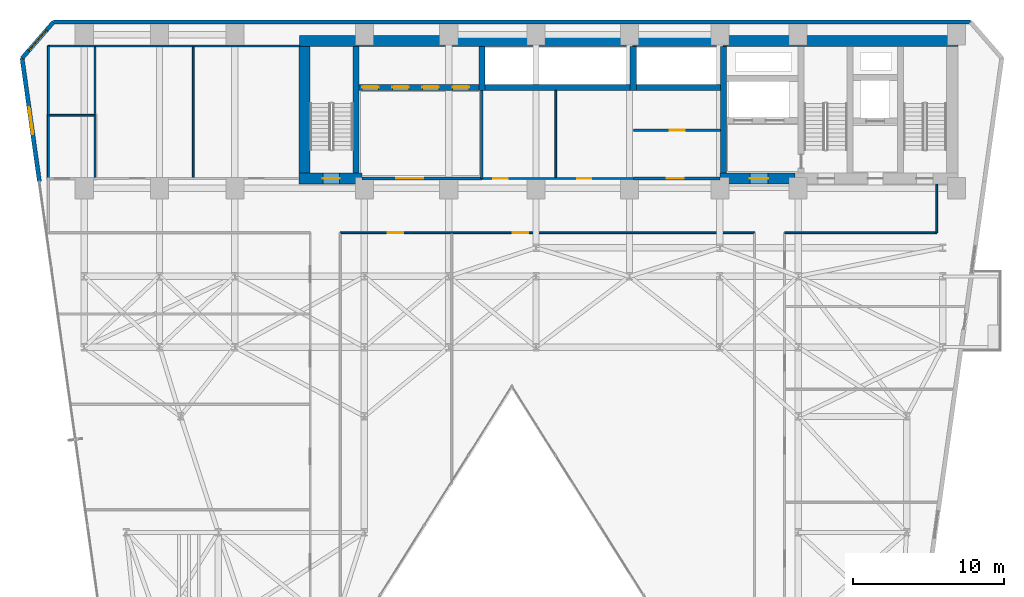
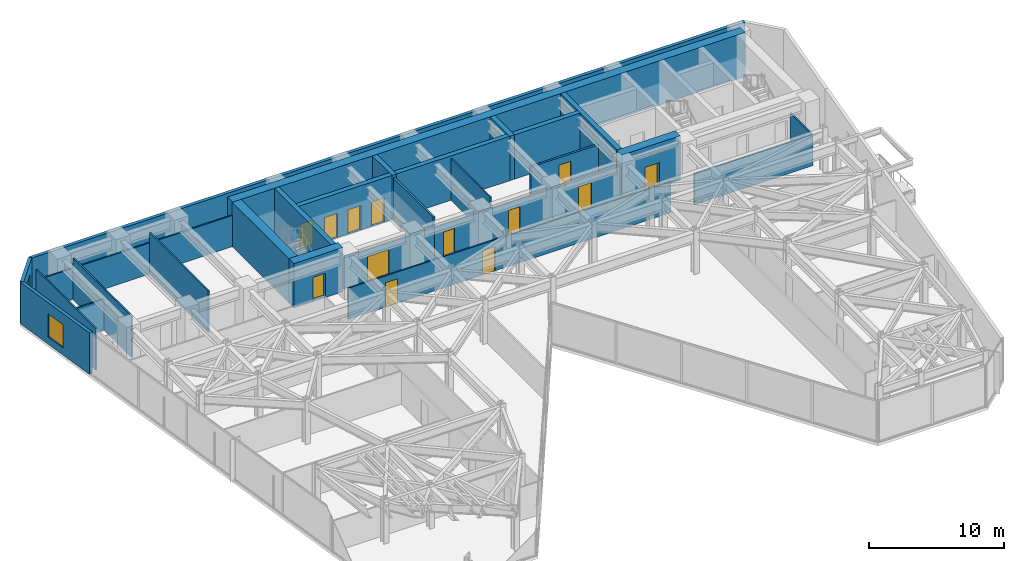
# One storey, part 20 of 25: 28 walls, 13 doors, 2 windows, 15 openings.
"""IFC4 building model written with IfcOpenShell, lengths in metres."""

from ifc_helpers import new_model, si_unit, direction, frame, frame_2d, origin, place, context, subcontext, project, spatial, rectangle, extrude, material, layer, layer_set, type_object, element, fill, save


model = new_model("IFC4")

# Units and contexts
model_context = context("Model", 3, precision=1e-05, world=origin(), true_north=direction((0.0, 1.0)))
body_context = subcontext(model_context, "Body", "Model", "MODEL_VIEW")
ifc_project = project(units=[si_unit("LENGTHUNIT", "METRE"), si_unit("AREAUNIT", "SQUARE_METRE"), si_unit("VOLUMEUNIT", "CUBIC_METRE"), si_unit("PLANEANGLEUNIT", "RADIAN"), si_unit("MASSUNIT", "GRAM", prefix="KILO")], contexts=[model_context])

# Site, building, storey
site_placement = place(None, origin())
site = spatial("IfcSite", under=ifc_project, at=site_placement, CompositionType="ELEMENT")
building_placement = place(site_placement, origin())
building = spatial("IfcBuilding", under=site, at=building_placement, Name="Kravanh Interchange Tower", CompositionType="ELEMENT")
storey_placement = place(building_placement, frame((0.0, 0.0, 65.5)))
storey = spatial("IfcBuildingStorey", under=building, at=storey_placement, Name="L15", CompositionType="ELEMENT", Elevation=65.5)

# Walls
ifc_material_1 = material(Name="Double Acoustic Gypsum Board and Mineral Wool")
ifc_layer_1 = layer(ifc_material_1, 0.1201171875)
ifc_layer_set_1 = layer_set([ifc_layer_1], Name="Acoustic Office Drywall Partition 120mm")
wall_type_1 = type_object("IfcWallType", Name="Acoustic Office Drywall Partition 120mm", PredefinedType="PARTITIONING", material=ifc_layer_set_1)
wall_1_placement = place(storey_placement, frame((39.89990234375, 38.068115234375, 0.0), z_axis=(0.0, 0.0, 1.0), x_axis=(0.0, 1.0, 0.0)))
element("IfcWall", 1, at=wall_1_placement, inside=storey, type_object=wall_type_1, Name="L15 Interior Partition 6", PredefinedType="PARTITIONING", context=body_context, shape_type="SweptSolid", body=[
    extrude(rectangle(XDim=5.77392578125, YDim=0.1201171875, at=frame_2d((2.886962890625, 0.0))), origin(), (0.0, 0.0, 1.0), 3.739990234375),
])
wall_2_placement = place(storey_placement, frame((6.219970703125, 38.0, 0.0), z_axis=(0.0, 0.0, 1.0), x_axis=(0.0, 1.0, 0.0)))
element("IfcWall", 2, at=wall_2_placement, inside=storey, type_object=wall_type_1, Name="L15 Restroom West Enclosure 8", PredefinedType="PARTITIONING", context=body_context, shape_type="SweptSolid", body=[
    extrude(rectangle(XDim=8.800048828125, YDim=0.1201171875, at=frame_2d((4.39990234375, 0.0))), origin(), (0.0, 0.0, 1.0), 3.739990234375),
])
wall_3_placement = place(storey_placement, frame((6.219970703125, 46.800048828125, 0.0), z_axis=(0.0, 0.0, 1.0), x_axis=(1.0, 0.0, 0.0)))
element("IfcWall", 3, at=wall_3_placement, inside=storey, type_object=wall_type_1, Name="L15 Restroom North Enclosure 9", PredefinedType="PARTITIONING", context=body_context, shape_type="SweptSolid", body=[
    extrude(rectangle(XDim=16.679931640625, YDim=0.1201171875, at=frame_2d((8.33984375, 0.0))), origin(), (0.0, 0.0, 1.0), 2.81298828125),
])
for number, where, z_axis, x_axis, name in (
    (4, (9.320068359375, 38.068115234375, 0.0), (0.0, 0.0, 1.0), (0.0, 1.0, 0.0), "L15 Interior Partition 10"),
    (5, (15.840087890625, 38.068115234375, 0.0), (0.0, 0.0, 1.0), (0.0, 1.0, 0.0), "L15 Interior Partition 11"),
):
    element("IfcWall", number, at=place(storey_placement, frame(where, z_axis=z_axis, x_axis=x_axis)), inside=storey, type_object=wall_type_1, Name=name, PredefinedType="PARTITIONING", context=body_context, shape_type="SweptSolid", body=[
        extrude(rectangle(XDim=8.663818359375, YDim=0.1201171875, at=frame_2d((4.33203125, 0.0))), origin(), (0.0, 0.0, 1.0), 3.739990234375),
    ])
wall_4_placement = place(storey_placement, frame((6.2880859375, 42.199951171875, 0.0), z_axis=(0.0, 0.0, 1.0), x_axis=(1.0, 0.0, 0.0)))
element("IfcWall", 6, at=wall_4_placement, inside=storey, type_object=wall_type_1, Name="L15 Interior Partition 12", PredefinedType="PARTITIONING", context=body_context, shape_type="SweptSolid", body=[
    extrude(rectangle(XDim=2.9638671875, YDim=0.1201171875, at=frame_2d((1.48193359375, 0.0))), origin(), (0.0, 0.0, 1.0), 2.81298828125),
])

# Wall, openings, doors
wall_5_placement = place(storey_placement, frame((25.60009765625, 34.39990234375, 0.0), z_axis=(0.0, 0.0, 1.0), x_axis=(1.0, 0.0, 0.0)))
wall_5 = element("IfcWall", 7, at=wall_5_placement, inside=storey, type_object=wall_type_1, Name="L15 Interior Partition 14", PredefinedType="PARTITIONING", context=body_context, shape_type="SweptSolid", body=[
    extrude(rectangle(XDim=27.5, YDim=0.1201171875, at=frame_2d((13.75, 0.0))), origin(), (0.0, 0.0, 1.0), 2.81298828125),
])
opening_1_placement = place(wall_5_placement, frame((3.135009765625, 0.0, 0.0)))
opening_1 = element("IfcOpeningElement", 8, at=opening_1_placement, cuts=wall_5, Name="Opening D-105", PredefinedType="OPENING", context=body_context, shape_type="SweptSolid", body=[
    extrude(rectangle(XDim=1.050048828125, YDim=2.199951171875, at=frame_2d((0.52490234375, 1.10009765625))), frame((0.0, 0.070068359375, 0.0), z_axis=(0.0, -1.0, 0.0), x_axis=(1.0, 0.0, 0.0)), (0.0, 0.0, 1.0), 0.14013671875),
])
opening_2_placement = place(wall_5_placement, frame((11.439697265625, 0.0, 0.0)))
opening_2 = element("IfcOpeningElement", 9, at=opening_2_placement, cuts=wall_5, Name="Opening D-105", PredefinedType="OPENING", context=body_context, shape_type="SweptSolid", body=[
    extrude(rectangle(XDim=1.050048828125, YDim=2.199951171875, at=frame_2d((0.52490234375, 1.10009765625))), frame((0.0, 0.070068359375, 0.0), z_axis=(0.0, -1.0, 0.0), x_axis=(1.0, 0.0, 0.0)), (0.0, 0.0, 1.0), 0.14013671875),
])
ifc_material_2 = material(Name="Acoustic Glazed Oak and Aluminium", Category="aluminium")
door_type_1 = type_object("IfcDoorType", Name="Office Workplace Door 1050x2200", OperationType="NOTDEFINED", PredefinedType="DOOR", material=ifc_material_2)
door_1_placement = place(opening_1_placement, origin())
door_1 = element("IfcDoor", 10, at=door_1_placement, inside=storey, type_object=door_type_1, Name="L15 Central Conference Meeting Door", OperationType="SINGLE_SWING_RIGHT", OverallHeight=2.199951171875, OverallWidth=1.050048828125, PredefinedType="DOOR", context=body_context, shape_type="SweptSolid", body=[
    extrude(rectangle(XDim=1.050048828125, YDim=2.199951171875, at=frame_2d((0.52490234375, 1.10009765625))), frame((0.0, 0.02490234375, 0.0), z_axis=(0.0, -1.0, 0.0), x_axis=(1.0, 0.0, 0.0)), (0.0, 0.0, 1.0), 0.050048828125),
])
fill(opening_1, door_1)
door_2_placement = place(opening_2_placement, origin())
door_2 = element("IfcDoor", 11, at=door_2_placement, inside=storey, type_object=door_type_1, Name="L15 Floor Pantry Kitchenette Door", OperationType="SINGLE_SWING_LEFT", OverallHeight=2.199951171875, OverallWidth=1.050048828125, PredefinedType="DOOR", context=body_context, shape_type="SweptSolid", body=[
    extrude(rectangle(XDim=1.050048828125, YDim=2.199951171875, at=frame_2d((0.52490234375, 1.10009765625))), frame((0.0, 0.02490234375, 0.0), z_axis=(0.0, -1.0, 0.0), x_axis=(1.0, 0.0, 0.0)), (0.0, 0.0, 1.0), 0.050048828125),
])
fill(opening_2, door_2)

# Walls
wall_6_placement = place(storey_placement, frame((55.10009765625, 34.39990234375, 0.0), z_axis=(0.0, 0.0, 1.0), x_axis=(1.0, 0.0, 0.0)))
element("IfcWall", 12, at=wall_6_placement, inside=storey, type_object=wall_type_1, Name="L15 Interior Partition 15", PredefinedType="PARTITIONING", context=body_context, shape_type="SweptSolid", body=[
    extrude(rectangle(XDim=10.099853515625, YDim=0.1201171875, at=frame_2d((5.0498046875, 0.0))), origin(), (0.0, 0.0, 1.0), 2.81298828125),
])
wall_7_placement = place(storey_placement, frame((65.199951171875, 34.39990234375, 0.0), z_axis=(0.0, 0.0, 1.0), x_axis=(0.0, 1.0, 0.0)))
element("IfcWall", 13, at=wall_7_placement, inside=storey, type_object=wall_type_1, Name="L15 Interior Partition 17", PredefinedType="PARTITIONING", context=body_context, shape_type="SweptSolid", body=[
    extrude(rectangle(XDim=3.217041015625, YDim=0.1201171875, at=frame_2d((1.6083984375, 0.0))), origin(), (0.0, 0.0, 1.0), 2.81298828125),
])
ifc_material_3 = material(Name="Concrete C80/95", Category="concrete")
ifc_layer_2 = layer(ifc_material_3, 0.39990234375)
ifc_layer_set_2 = layer_set([ifc_layer_2], Name="Core Shear Wall Concrete C80/95 400mm")
wall_type_2 = type_object("IfcWallType", Name="Core Shear Wall Concrete C80/95 400mm", PredefinedType="SHEAR", material=ifc_layer_set_2)
wall_8_placement = place(storey_placement, frame((51.050048828125, 38.375, 0.0), z_axis=(0.0, 0.0, 1.0), x_axis=(0.0, 1.0, 0.0)))
element("IfcWall", 14, at=wall_8_placement, inside=storey, type_object=wall_type_2, Name="L15 Firefighting Lobby West Wall", PredefinedType="SHEAR", context=body_context, shape_type="SweptSolid", body=[
    extrude(rectangle(XDim=8.375, YDim=0.39990234375, at=frame_2d((4.1875, 0.0))), origin(), (0.0, 0.0, 1.0), 4.0),
])
wall_9_placement = place(storey_placement, frame((45.25, 44.050048828125, 0.0), z_axis=(0.0, 0.0, 1.0), x_axis=(1.0, 0.0, 0.0)))
element("IfcWall", 15, at=wall_9_placement, inside=storey, type_object=wall_type_2, Name="L15 High-Rise Lift Shaft South Wall", PredefinedType="SHEAR", context=body_context, shape_type="SweptSolid", body=[
    extrude(rectangle(XDim=5.60009765625, YDim=0.39990234375, at=frame_2d((2.800048828125, 0.0))), origin(), (0.0, 0.0, 1.0), 4.0),
])
wall_10_placement = place(storey_placement, frame((45.050048828125, 43.85009765625, 0.0), z_axis=(0.0, 0.0, 1.0), x_axis=(0.0, 1.0, 0.0)))
element("IfcWall", 16, at=wall_10_placement, inside=storey, type_object=wall_type_2, Name="L15 High-Rise Lift Shaft West Wall", PredefinedType="SHEAR", context=body_context, shape_type="SweptSolid", body=[
    extrude(rectangle(XDim=2.89990234375, YDim=0.39990234375, at=frame_2d((1.449951171875, 0.0))), origin(), (0.0, 0.0, 1.0), 4.0),
])
wall_11_placement = place(storey_placement, frame((35.199951171875, 44.050048828125, 0.0), z_axis=(0.0, 0.0, 1.0), x_axis=(1.0, 0.0, 0.0)))
element("IfcWall", 17, at=wall_11_placement, inside=storey, type_object=wall_type_2, Name="L15 Mid-Rise Lift Shaft South Wall", PredefinedType="SHEAR", context=body_context, shape_type="SweptSolid", body=[
    extrude(rectangle(XDim=9.650146484375, YDim=0.39990234375, at=frame_2d((4.8251953125, 0.0))), origin(), (0.0, 0.0, 1.0), 4.0),
])
wall_12_placement = place(storey_placement, frame((35.0, 43.85009765625, 0.0), z_axis=(0.0, 0.0, 1.0), x_axis=(0.0, 1.0, 0.0)))
element("IfcWall", 18, at=wall_12_placement, inside=storey, type_object=wall_type_2, Name="L15 Mid-Rise Lift Shaft West Wall", PredefinedType="SHEAR", context=body_context, shape_type="SweptSolid", body=[
    extrude(rectangle(XDim=2.89990234375, YDim=0.39990234375, at=frame_2d((1.449951171875, 0.0))), origin(), (0.0, 0.0, 1.0), 4.0),
])

# Wall, openings, doors
wall_13_placement = place(storey_placement, frame((26.85009765625, 44.050048828125, 0.0), z_axis=(0.0, 0.0, 1.0), x_axis=(1.0, 0.0, 0.0)))
wall_13 = element("IfcWall", 19, at=wall_13_placement, inside=storey, type_object=wall_type_2, Name="L15 Low-Rise Lift Shaft South Wall", PredefinedType="SHEAR", context=body_context, shape_type="SweptSolid", body=[
    extrude(rectangle(XDim=7.949951171875, YDim=0.39990234375, at=frame_2d((3.97509765625, 0.0))), origin(), (0.0, 0.0, 1.0), 4.0),
])
opening_3_placement = place(wall_13_placement, frame((0.199951171875, 0.0, 0.0)))
opening_3 = element("IfcOpeningElement", 20, at=opening_3_placement, cuts=wall_13, Name="Opening LD01", PredefinedType="OPENING", context=body_context, shape_type="SweptSolid", body=[
    extrude(rectangle(XDim=1.10009765625, YDim=2.199951171875, at=frame_2d((0.550048828125, 1.10009765625))), frame((0.0, 0.2099609375, 0.0), z_axis=(0.0, -1.0, 0.0), x_axis=(1.0, 0.0, 0.0)), (0.0, 0.0, 1.0), 0.419921875),
])
opening_4_placement = place(wall_13_placement, frame((2.199951171875, 0.0, 0.0)))
opening_4 = element("IfcOpeningElement", 21, at=opening_4_placement, cuts=wall_13, Name="Opening LD01", PredefinedType="OPENING", context=body_context, shape_type="SweptSolid", body=[
    extrude(rectangle(XDim=1.10009765625, YDim=2.199951171875, at=frame_2d((0.550048828125, 1.10009765625))), frame((0.0, 0.2099609375, 0.0), z_axis=(0.0, -1.0, 0.0), x_axis=(1.0, 0.0, 0.0)), (0.0, 0.0, 1.0), 0.419921875),
])
opening_5_placement = place(wall_13_placement, frame((4.199951171875, 0.0, 0.0)))
opening_5 = element("IfcOpeningElement", 22, at=opening_5_placement, cuts=wall_13, Name="Opening LD01", PredefinedType="OPENING", context=body_context, shape_type="SweptSolid", body=[
    extrude(rectangle(XDim=1.10009765625, YDim=2.199951171875, at=frame_2d((0.550048828125, 1.10009765625))), frame((0.0, 0.2099609375, 0.0), z_axis=(0.0, -1.0, 0.0), x_axis=(1.0, 0.0, 0.0)), (0.0, 0.0, 1.0), 0.419921875),
])
opening_6_placement = place(wall_13_placement, frame((6.199951171875, 0.0, 0.0)))
opening_6 = element("IfcOpeningElement", 23, at=opening_6_placement, cuts=wall_13, Name="Opening LD01", PredefinedType="OPENING", context=body_context, shape_type="SweptSolid", body=[
    extrude(rectangle(XDim=1.10009765625, YDim=2.199951171875, at=frame_2d((0.550048828125, 1.10009765625))), frame((0.0, 0.2099609375, 0.0), z_axis=(0.0, -1.0, 0.0), x_axis=(1.0, 0.0, 0.0)), (0.0, 0.0, 1.0), 0.419921875),
])
ifc_material_4 = material(Name="Stainless Steel 304", Category="steel")
door_type_2 = type_object("IfcDoorType", Name="Passenger Lift Sliding Landing Door 1100x2200", OperationType="DOUBLE_DOOR_SLIDING", PredefinedType="DOOR", material=ifc_material_4)
door_3_placement = place(opening_3_placement, origin())
door_3 = element("IfcDoor", 24, at=door_3_placement, inside=storey, type_object=door_type_2, Name="L15 Lift LP-L1 Landing Door", OperationType="DOUBLE_DOOR_SLIDING", OverallHeight=2.199951171875, OverallWidth=1.10009765625, PredefinedType="DOOR", context=body_context, shape_type="SweptSolid", body=[
    extrude(rectangle(XDim=1.10009765625, YDim=2.199951171875, at=frame_2d((0.550048828125, 1.10009765625))), frame((0.0, 0.02490234375, 0.0), z_axis=(0.0, -1.0, 0.0), x_axis=(1.0, 0.0, 0.0)), (0.0, 0.0, 1.0), 0.050048828125),
])
fill(opening_3, door_3)
door_4_placement = place(opening_4_placement, origin())
door_4 = element("IfcDoor", 25, at=door_4_placement, inside=storey, type_object=door_type_2, Name="L15 Lift LP-L2 Landing Door", OperationType="DOUBLE_DOOR_SLIDING", OverallHeight=2.199951171875, OverallWidth=1.10009765625, PredefinedType="DOOR", context=body_context, shape_type="SweptSolid", body=[
    extrude(rectangle(XDim=1.10009765625, YDim=2.199951171875, at=frame_2d((0.550048828125, 1.10009765625))), frame((0.0, 0.02490234375, 0.0), z_axis=(0.0, -1.0, 0.0), x_axis=(1.0, 0.0, 0.0)), (0.0, 0.0, 1.0), 0.050048828125),
])
fill(opening_4, door_4)
door_5_placement = place(opening_5_placement, origin())
door_5 = element("IfcDoor", 26, at=door_5_placement, inside=storey, type_object=door_type_2, Name="L15 Lift LP-L3 Landing Door", OperationType="DOUBLE_DOOR_SLIDING", OverallHeight=2.199951171875, OverallWidth=1.10009765625, PredefinedType="DOOR", context=body_context, shape_type="SweptSolid", body=[
    extrude(rectangle(XDim=1.10009765625, YDim=2.199951171875, at=frame_2d((0.550048828125, 1.10009765625))), frame((0.0, 0.02490234375, 0.0), z_axis=(0.0, -1.0, 0.0), x_axis=(1.0, 0.0, 0.0)), (0.0, 0.0, 1.0), 0.050048828125),
])
fill(opening_5, door_5)
door_6_placement = place(opening_6_placement, origin())
door_6 = element("IfcDoor", 27, at=door_6_placement, inside=storey, type_object=door_type_2, Name="L15 Lift LP-L4 Landing Door", OperationType="DOUBLE_DOOR_SLIDING", OverallHeight=2.199951171875, OverallWidth=1.10009765625, PredefinedType="DOOR", context=body_context, shape_type="SweptSolid", body=[
    extrude(rectangle(XDim=1.10009765625, YDim=2.199951171875, at=frame_2d((0.550048828125, 1.10009765625))), frame((0.0, 0.02490234375, 0.0), z_axis=(0.0, -1.0, 0.0), x_axis=(1.0, 0.0, 0.0)), (0.0, 0.0, 1.0), 0.050048828125),
])
fill(opening_6, door_6)

# Walls
wall_14_placement = place(storey_placement, frame((26.64990234375, 38.375, 0.0), z_axis=(0.0, 0.0, 1.0), x_axis=(0.0, 1.0, 0.0)))
element("IfcWall", 28, at=wall_14_placement, inside=storey, type_object=wall_type_2, Name="L15 Stair ST3 East Shear Wall", PredefinedType="SHEAR", context=body_context, shape_type="SweptSolid", body=[
    extrude(rectangle(XDim=8.375, YDim=0.39990234375, at=frame_2d((4.1875, 0.0))), origin(), (0.0, 0.0, 1.0), 4.0),
])
ifc_material_5 = material(Name="Concrete C80/95", Category="concrete")
ifc_layer_3 = layer(ifc_material_5, 0.75)
ifc_layer_set_3 = layer_set([ifc_layer_3], Name="Core Shear Wall Concrete C80/95 750mm")
wall_type_3 = type_object("IfcWallType", Name="Core Shear Wall Concrete C80/95 750mm", PredefinedType="SHEAR", material=ifc_layer_set_3)
wall_15_placement = place(storey_placement, frame((22.89990234375, 47.125, 0.0), z_axis=(0.0, 0.0, 1.0), x_axis=(1.0, 0.0, 0.0)))
element("IfcWall", 29, at=wall_15_placement, inside=storey, type_object=wall_type_3, Name="L15 North Core Shear Wall", PredefinedType="SHEAR", context=body_context, shape_type="SweptSolid", body=[
    extrude(rectangle(XDim=43.7001953125, YDim=0.75, at=frame_2d((21.85009765625, 0.0))), origin(), (0.0, 0.0, 1.0), 4.0),
])

# Wall, opening, door
wall_16_placement = place(storey_placement, frame((50.800048828125, 38.0, 0.0), z_axis=(0.0, 0.0, 1.0), x_axis=(1.0, 0.0, 0.0)))
wall_16 = element("IfcWall", 30, at=wall_16_placement, inside=storey, type_object=wall_type_3, Name="L15 Firefighting Lobby South Shear Wall", PredefinedType="SHEAR", context=body_context, shape_type="SweptSolid", body=[
    extrude(rectangle(XDim=5.0, YDim=0.75, at=frame_2d((2.5, 0.0))), origin(), (0.0, 0.0, 1.0), 4.0),
])
opening_7_placement = place(wall_16_placement, frame((2.0, 0.0, 0.0)))
opening_7 = element("IfcOpeningElement", 31, at=opening_7_placement, cuts=wall_16, Name="Opening D-FSAE-120", PredefinedType="OPENING", context=body_context, shape_type="SweptSolid", body=[
    extrude(rectangle(XDim=1.199951171875, YDim=2.199951171875, at=frame_2d((0.60009765625, 1.10009765625))), frame((0.0, 0.385009765625, 0.0), z_axis=(0.0, -1.0, 0.0), x_axis=(1.0, 0.0, 0.0)), (0.0, 0.0, 1.0), 0.77001953125),
])
ifc_material_6 = material(Name="Structural Steel S355", Category="steel")
door_type_3 = type_object("IfcDoorType", Name="Fire-Rated Refuge and FSAE Door 1200x2200", OperationType="NOTDEFINED", PredefinedType="DOOR", material=ifc_material_6)
door_7_placement = place(opening_7_placement, origin())
door_7 = element("IfcDoor", 32, at=door_7_placement, inside=storey, type_object=door_type_3, Name="L15 Firefighting Lobby Corridor Door", OperationType="SINGLE_SWING_RIGHT", OverallHeight=2.199951171875, OverallWidth=1.199951171875, PredefinedType="DOOR", context=body_context, shape_type="SweptSolid", body=[
    extrude(rectangle(XDim=1.199951171875, YDim=2.199951171875, at=frame_2d((0.60009765625, 1.10009765625))), frame((0.0, 0.02490234375, 0.0), z_axis=(0.0, -1.0, 0.0), x_axis=(1.0, 0.0, 0.0)), (0.0, 0.0, 1.0), 0.050048828125),
])
fill(opening_7, door_7)

wall_17_placement = place(storey_placement, frame((22.85009765625, 38.0, 0.0), z_axis=(0.0, 0.0, 1.0), x_axis=(1.0, 0.0, 0.0)))
wall_17 = element("IfcWall", 33, at=wall_17_placement, inside=storey, type_object=wall_type_3, Name="L15 Stair ST3 South Shear Wall", PredefinedType="SHEAR", context=body_context, shape_type="SweptSolid", body=[
    extrude(rectangle(XDim=4.199951171875, YDim=0.75, at=frame_2d((2.10009765625, 0.0))), origin(), (0.0, 0.0, 1.0), 4.0),
])
opening_8_placement = place(wall_17_placement, frame((1.60009765625, 0.0, 0.0)))
opening_8 = element("IfcOpeningElement", 34, at=opening_8_placement, cuts=wall_17, Name="Opening D-STAIR-110", PredefinedType="OPENING", context=body_context, shape_type="SweptSolid", body=[
    extrude(rectangle(XDim=1.10009765625, YDim=2.199951171875, at=frame_2d((0.550048828125, 1.10009765625))), frame((0.0, 0.385009765625, 0.0), z_axis=(0.0, -1.0, 0.0), x_axis=(1.0, 0.0, 0.0)), (0.0, 0.0, 1.0), 0.77001953125),
])
ifc_material_7 = material(Name="Structural Steel S355", Category="steel")
door_type_4 = type_object("IfcDoorType", Name="Fire-Rated Exit Stair Door 1100x2200", OperationType="NOTDEFINED", PredefinedType="DOOR", material=ifc_material_7)
door_8_placement = place(opening_8_placement, origin())
door_8 = element("IfcDoor", 35, at=door_8_placement, inside=storey, type_object=door_type_4, Name="L15 Exit Stair ST3 Door", OperationType="SINGLE_SWING_RIGHT", OverallHeight=2.199951171875, OverallWidth=1.10009765625, PredefinedType="DOOR", context=body_context, shape_type="SweptSolid", body=[
    extrude(rectangle(XDim=1.10009765625, YDim=2.199951171875, at=frame_2d((0.550048828125, 1.10009765625))), frame((0.0, 0.02490234375, 0.0), z_axis=(0.0, -1.0, 0.0), x_axis=(1.0, 0.0, 0.0)), (0.0, 0.0, 1.0), 0.050048828125),
])
fill(opening_8, door_8)

# Wall
wall_18_placement = place(storey_placement, frame((23.22509765625, 38.375, 0.0), z_axis=(0.0, 0.0, 1.0), x_axis=(0.0, 1.0, 0.0)))
element("IfcWall", 36, at=wall_18_placement, inside=storey, type_object=wall_type_3, Name="L15 Stair ST3 West Shear Wall", PredefinedType="SHEAR", context=body_context, shape_type="SweptSolid", body=[
    extrude(rectangle(XDim=8.375, YDim=0.75, at=frame_2d((4.1875, 0.0))), origin(), (0.0, 0.0, 1.0), 4.0),
])

# Wall, opening, window
ifc_material_8 = material(Name="Insulated Precast Concrete C40/50 with Bronze Cladding", Category="concrete")
ifc_layer_4 = layer(ifc_material_8, 0.280029296875)
ifc_layer_set_4 = layer_set([ifc_layer_4], Name="Exterior Insulated Concrete C40/50 Bronze Spandrel Wall 280mm")
wall_type_4 = type_object("IfcWallType", Name="Exterior Insulated Concrete C40/50 Bronze Spandrel Wall 280mm", PredefinedType="STANDARD", material=ifc_layer_set_4)
wall_19_placement = place(storey_placement, frame((5.625, 37.800048828125, 0.0), z_axis=(0.0, 0.0, 1.0), x_axis=(-0.139180172484, 0.990267074878, 0.0)))
wall_19 = element("IfcWall", 37, at=wall_19_placement, inside=storey, type_object=wall_type_4, Name="L15 Exterior Wall 1", PredefinedType="STANDARD", context=body_context, shape_type="SweptSolid", body=[
    extrude(rectangle(XDim=8.267333984375, YDim=0.280029296875, at=frame_2d((4.1337890625, 0.0))), origin(), (0.0, 0.0, 1.0), 3.739990234375),
])
opening_9_placement = place(wall_19_placement, frame((3.1728515625, 0.0, 0.64990234375)))
opening_9 = element("IfcOpeningElement", 38, at=opening_9_placement, cuts=wall_19, Name="Opening WN-180X210", PredefinedType="OPENING", context=body_context, shape_type="SweptSolid", body=[
    extrude(rectangle(XDim=1.800048828125, YDim=2.10009765625, at=frame_2d((0.89990234375, 1.050048828125))), frame((0.0, 0.14990234375, 0.0), z_axis=(0.0, -1.0, 0.0), x_axis=(1.0, 0.0, 0.0)), (0.0, 0.0, 1.0), 0.300048828125),
])
ifc_material_9 = material(Name="Thermally Broken Bronze Aluminium and Low-E Glass", Category="aluminium")
window_type = type_object("IfcWindowType", Name="Tower Pier Window 1800x2100", PartitioningType="SINGLE_PANEL", PredefinedType="WINDOW", material=ifc_material_9)
window_1_placement = place(opening_9_placement, origin())
window_1 = element("IfcWindow", 39, at=window_1_placement, inside=storey, type_object=window_type, Name="L15 Corner Window 1", OverallHeight=2.10009765625, OverallWidth=1.800048828125, PartitioningType="SINGLE_PANEL", PredefinedType="WINDOW", context=body_context, shape_type="SweptSolid", body=[
    extrude(rectangle(XDim=1.800048828125, YDim=2.10009765625, at=frame_2d((0.89990234375, 1.050048828125))), frame((0.0, 0.030029296875, 0.0), z_axis=(0.0, -1.0, 0.0), x_axis=(1.0, 0.0, 0.0)), (0.0, 0.0, 1.0), 0.06005859375),
])
fill(opening_9, window_1)

wall_20_placement = place(storey_placement, frame((4.474365234375, 45.98681640625, 0.0), z_axis=(0.0, 0.0, 1.0), x_axis=(0.656070053895, 0.754699996278, 0.0)))
wall_20 = element("IfcWall", 40, at=wall_20_placement, inside=storey, type_object=wall_type_4, Name="L15 Exterior Wall 2", PredefinedType="STANDARD", context=body_context, shape_type="SweptSolid", body=[
    extrude(rectangle(XDim=3.1708984375, YDim=0.280029296875, at=frame_2d((1.58544921875, 0.0))), origin(), (0.0, 0.0, 1.0), 3.739990234375),
])
opening_10_placement = place(wall_20_placement, frame((0.66650390625, 0.0, 0.64990234375)))
opening_10 = element("IfcOpeningElement", 41, at=opening_10_placement, cuts=wall_20, Name="Opening WN-180X210", PredefinedType="OPENING", context=body_context, shape_type="SweptSolid", body=[
    extrude(rectangle(XDim=1.800048828125, YDim=2.10009765625, at=frame_2d((0.89990234375, 1.050048828125))), frame((0.0, 0.14990234375, 0.0), z_axis=(0.0, -1.0, 0.0), x_axis=(1.0, 0.0, 0.0)), (0.0, 0.0, 1.0), 0.300048828125),
])
window_2_placement = place(opening_10_placement, origin())
window_2 = element("IfcWindow", 42, at=window_2_placement, inside=storey, type_object=window_type, Name="L15 Corner Window 2", OverallHeight=2.10009765625, OverallWidth=1.800048828125, PartitioningType="SINGLE_PANEL", PredefinedType="WINDOW", context=body_context, shape_type="SweptSolid", body=[
    extrude(rectangle(XDim=1.800048828125, YDim=2.10009765625, at=frame_2d((0.89990234375, 1.050048828125))), frame((0.0, 0.030029296875, 0.0), z_axis=(0.0, -1.0, 0.0), x_axis=(1.0, 0.0, 0.0)), (0.0, 0.0, 1.0), 0.06005859375),
])
fill(opening_10, window_2)

# Wall
wall_21_placement = place(storey_placement, frame((6.5546875, 48.3798828125, 0.0), z_axis=(0.0, 0.0, 1.0), x_axis=(1.0, 0.0, 0.0)))
element("IfcWall", 43, at=wall_21_placement, inside=storey, type_object=wall_type_4, Name="L15 Exterior Wall 3", PredefinedType="STANDARD", context=body_context, shape_type="SweptSolid", body=[
    extrude(rectangle(XDim=60.890625, YDim=0.280029296875, at=frame_2d((30.4453125, 0.0))), origin(), (0.0, 0.0, 1.0), 3.739990234375),
])

# Wall, opening, door
ifc_material_10 = material(Name="Autoclaved Aerated Concrete C30/37 Blockwork", Category="masonry")
ifc_layer_5 = layer(ifc_material_10, 0.179931640625)
ifc_layer_set_5 = layer_set([ifc_layer_5], Name="Fire-Rated Lobby and Corridor Wall Concrete C30/37 180mm")
wall_type_5 = type_object("IfcWallType", Name="Fire-Rated Lobby and Corridor Wall Concrete C30/37 180mm", PredefinedType="STANDARD", material=ifc_layer_set_5)
wall_22_placement = place(storey_placement, frame((45.050048828125, 38.0, 0.0), z_axis=(0.0, 0.0, 1.0), x_axis=(1.0, 0.0, 0.0)))
wall_22 = element("IfcWall", 44, at=wall_22_placement, inside=storey, type_object=wall_type_5, Name="L15 Core South Enclosure 1", PredefinedType="STANDARD", context=body_context, shape_type="SweptSolid", body=[
    extrude(rectangle(XDim=5.75, YDim=0.179931640625, at=frame_2d((2.875, 0.0))), origin(), (0.0, 0.0, 1.0), 2.81298828125),
])
opening_11_placement = place(wall_22_placement, frame((2.240478515625, 0.0, 0.0)))
opening_11 = element("IfcOpeningElement", 45, at=opening_11_placement, cuts=wall_22, Name="Opening D-SHAFT-110", PredefinedType="OPENING", context=body_context, shape_type="SweptSolid", body=[
    extrude(rectangle(XDim=1.10009765625, YDim=2.199951171875, at=frame_2d((0.550048828125, 1.10009765625))), frame((0.0, 0.10009765625, 0.0), z_axis=(0.0, -1.0, 0.0), x_axis=(1.0, 0.0, 0.0)), (0.0, 0.0, 1.0), 0.199951171875),
])
ifc_material_11 = material(Name="Fire-Rated Composite Timber Leaf", Category="wood")
door_type_5 = type_object("IfcDoorType", Name="Fire-Rated Core Support Door 1100x2200", OperationType="NOTDEFINED", PredefinedType="DOOR", material=ifc_material_11)
door_9_placement = place(opening_11_placement, origin())
door_9 = element("IfcDoor", 46, at=door_9_placement, inside=storey, type_object=door_type_5, Name="L15 Core Telecom Room Door", OperationType="SINGLE_SWING_RIGHT", OverallHeight=2.199951171875, OverallWidth=1.10009765625, PredefinedType="DOOR", context=body_context, shape_type="SweptSolid", body=[
    extrude(rectangle(XDim=1.10009765625, YDim=2.199951171875, at=frame_2d((0.550048828125, 1.10009765625))), frame((0.0, 0.02490234375, 0.0), z_axis=(0.0, -1.0, 0.0), x_axis=(1.0, 0.0, 0.0)), (0.0, 0.0, 1.0), 0.050048828125),
])
fill(opening_11, door_9)

wall_23_placement = place(storey_placement, frame((45.050048828125, 41.199951171875, 0.0), z_axis=(0.0, 0.0, 1.0), x_axis=(1.0, 0.0, 0.0)))
wall_23 = element("IfcWall", 47, at=wall_23_placement, inside=storey, type_object=wall_type_5, Name="L15 Interior Partition 2", PredefinedType="STANDARD", context=body_context, shape_type="SweptSolid", body=[
    extrude(rectangle(XDim=5.7919921875, YDim=0.179931640625, at=frame_2d((2.89599609375, 0.0))), origin(), (0.0, 0.0, 1.0), 2.81298828125),
])
opening_12_placement = place(wall_23_placement, frame((2.425048828125, 0.0, 0.0)))
opening_12 = element("IfcOpeningElement", 48, at=opening_12_placement, cuts=wall_23, Name="Opening D-HOTEL-100", PredefinedType="OPENING", context=body_context, shape_type="SweptSolid", body=[
    extrude(rectangle(XDim=1.0, YDim=2.14990234375, at=frame_2d((0.5, 1.074951171875))), frame((0.0, 0.10009765625, 0.0), z_axis=(0.0, -1.0, 0.0), x_axis=(1.0, 0.0, 0.0)), (0.0, 0.0, 1.0), 0.199951171875),
])
ifc_material_12 = material(Name="Fire-Rated Solid Timber Leaf", Category="wood")
door_type_6 = type_object("IfcDoorType", Name="Fire-Rated Suite Entrance Door 1000x2150", OperationType="NOTDEFINED", PredefinedType="DOOR", material=ifc_material_12)
door_10_placement = place(opening_12_placement, origin())
door_10 = element("IfcDoor", 49, at=door_10_placement, inside=storey, type_object=door_type_6, Name="L15 Core Telecom Inner Door", OperationType="SINGLE_SWING_LEFT", OverallHeight=2.14990234375, OverallWidth=1.0, PredefinedType="DOOR", context=body_context, shape_type="SweptSolid", body=[
    extrude(rectangle(XDim=1.0, YDim=2.14990234375, at=frame_2d((0.5, 1.074951171875))), frame((0.0, 0.02490234375, 0.0), z_axis=(0.0, -1.0, 0.0), x_axis=(1.0, 0.0, 0.0)), (0.0, 0.0, 1.0), 0.050048828125),
])
fill(opening_12, door_10)

# Wall
wall_24_placement = place(storey_placement, frame((35.0, 38.0, 0.0), z_axis=(0.0, 0.0, 1.0), x_axis=(0.0, 1.0, 0.0)))
element("IfcWall", 50, at=wall_24_placement, inside=storey, type_object=wall_type_5, Name="L15 Low-Rise Lobby East Wall 3", PredefinedType="STANDARD", context=body_context, shape_type="SweptSolid", body=[
    extrude(rectangle(XDim=5.85009765625, YDim=0.179931640625, at=frame_2d((2.925048828125, 0.0))), origin(), (0.0, 0.0, 1.0), 3.739990234375),
])

# Wall, opening, door
wall_25_placement = place(storey_placement, frame((27.050048828125, 38.0, 0.0), z_axis=(0.0, 0.0, 1.0), x_axis=(1.0, 0.0, 0.0)))
wall_25 = element("IfcWall", 51, at=wall_25_placement, inside=storey, type_object=wall_type_5, Name="L15 Low-Rise Lobby South Wall 4", PredefinedType="STANDARD", context=body_context, shape_type="SweptSolid", body=[
    extrude(rectangle(XDim=7.949951171875, YDim=0.179931640625, at=frame_2d((3.97509765625, 0.0))), origin(), (0.0, 0.0, 1.0), 2.81298828125),
])
opening_13_placement = place(wall_25_placement, frame((2.25, 0.0, 0.0)))
opening_13 = element("IfcOpeningElement", 52, at=opening_13_placement, cuts=wall_25, Name="Opening DBL-180", PredefinedType="OPENING", context=body_context, shape_type="SweptSolid", body=[
    extrude(rectangle(XDim=1.800048828125, YDim=2.199951171875, at=frame_2d((0.89990234375, 1.10009765625))), frame((0.0, 0.10009765625, 0.0), z_axis=(0.0, -1.0, 0.0), x_axis=(1.0, 0.0, 0.0)), (0.0, 0.0, 1.0), 0.199951171875),
])
ifc_material_13 = material(Name="Structural Steel S355", Category="steel")
door_type_7 = type_object("IfcDoorType", Name="Lift Lobby Double Fire Door 1800x2200", OperationType="DOUBLE_DOOR_SINGLE_SWING", PredefinedType="DOOR", material=ifc_material_13)
door_11_placement = place(opening_13_placement, origin())
door_11 = element("IfcDoor", 53, at=door_11_placement, inside=storey, type_object=door_type_7, Name="L15 Low-Rise Lift Lobby Door", OperationType="DOUBLE_DOOR_SINGLE_SWING", OverallHeight=2.199951171875, OverallWidth=1.800048828125, PredefinedType="DOOR", context=body_context, shape_type="SweptSolid", body=[
    extrude(rectangle(XDim=1.800048828125, YDim=2.199951171875, at=frame_2d((0.89990234375, 1.10009765625))), frame((0.0, 0.02490234375, 0.0), z_axis=(0.0, -1.0, 0.0), x_axis=(1.0, 0.0, 0.0)), (0.0, 0.0, 1.0), 0.050048828125),
])
fill(opening_13, door_11)

# Wall, openings, doors
ifc_material_14 = material(Name="Twin Stud Acoustic Gypsum Board Wall")
ifc_layer_6 = layer(ifc_material_14, 0.14990234375)
ifc_layer_set_6 = layer_set([ifc_layer_6], Name="Medium-Duty Acoustic Partition 150mm")
wall_type_6 = type_object("IfcWallType", Name="Medium-Duty Acoustic Partition 150mm", PredefinedType="PARTITIONING", material=ifc_layer_set_6)
wall_26_placement = place(storey_placement, frame((35.0, 38.0, 0.0), z_axis=(0.0, 0.0, 1.0), x_axis=(1.0, 0.0, 0.0)))
wall_26 = element("IfcWall", 54, at=wall_26_placement, inside=storey, type_object=wall_type_6, Name="L15 Core Support South Wall 5", PredefinedType="PARTITIONING", context=body_context, shape_type="SweptSolid", body=[
    extrude(rectangle(XDim=10.050048828125, YDim=0.14990234375, at=frame_2d((5.02490234375, 0.0))), origin(), (0.0, 0.0, 1.0), 2.81298828125),
])
opening_14_placement = place(wall_26_placement, frame((0.759033203125, 0.0, 0.0)))
opening_14 = element("IfcOpeningElement", 55, at=opening_14_placement, cuts=wall_26, Name="Opening D-95", PredefinedType="OPENING", context=body_context, shape_type="SweptSolid", body=[
    extrude(rectangle(XDim=0.949951171875, YDim=2.14990234375, at=frame_2d((0.47509765625, 1.074951171875))), frame((0.0, 0.0849609375, 0.0), z_axis=(0.0, -1.0, 0.0), x_axis=(1.0, 0.0, 0.0)), (0.0, 0.0, 1.0), 0.169921875),
])
opening_15_placement = place(wall_26_placement, frame((6.324951171875, 0.0, 0.0)))
opening_15 = element("IfcOpeningElement", 56, at=opening_15_placement, cuts=wall_26, Name="Opening D-95", PredefinedType="OPENING", context=body_context, shape_type="SweptSolid", body=[
    extrude(rectangle(XDim=0.949951171875, YDim=2.14990234375, at=frame_2d((0.47509765625, 1.074951171875))), frame((0.0, 0.0849609375, 0.0), z_axis=(0.0, -1.0, 0.0), x_axis=(1.0, 0.0, 0.0)), (0.0, 0.0, 1.0), 0.169921875),
])
ifc_material_15 = material(Name="Laminate Solid-Core Timber", Category="wood")
door_type_8 = type_object("IfcDoorType", Name="Accessible Restroom Door 950x2150", OperationType="NOTDEFINED", PredefinedType="DOOR", material=ifc_material_15)
door_12_placement = place(opening_14_placement, origin())
door_12 = element("IfcDoor", 57, at=door_12_placement, inside=storey, type_object=door_type_8, Name="L15 Core Electrical Room Door", OperationType="SINGLE_SWING_LEFT", OverallHeight=2.14990234375, OverallWidth=0.949951171875, PredefinedType="DOOR", context=body_context, shape_type="SweptSolid", body=[
    extrude(rectangle(XDim=0.949951171875, YDim=2.14990234375, at=frame_2d((0.47509765625, 1.074951171875))), frame((0.0, 0.02490234375, 0.0), z_axis=(0.0, -1.0, 0.0), x_axis=(1.0, 0.0, 0.0)), (0.0, 0.0, 1.0), 0.050048828125),
])
fill(opening_14, door_12)
door_13_placement = place(opening_15_placement, origin())
door_13 = element("IfcDoor", 58, at=door_13_placement, inside=storey, type_object=door_type_8, Name="L15 Core Cleaners Store Door", OperationType="SINGLE_SWING_RIGHT", OverallHeight=2.14990234375, OverallWidth=0.949951171875, PredefinedType="DOOR", context=body_context, shape_type="SweptSolid", body=[
    extrude(rectangle(XDim=0.949951171875, YDim=2.14990234375, at=frame_2d((0.47509765625, 1.074951171875))), frame((0.0, 0.02490234375, 0.0), z_axis=(0.0, -1.0, 0.0), x_axis=(1.0, 0.0, 0.0)), (0.0, 0.0, 1.0), 0.050048828125),
])
fill(opening_15, door_13)

save(model, "model.ifc")
